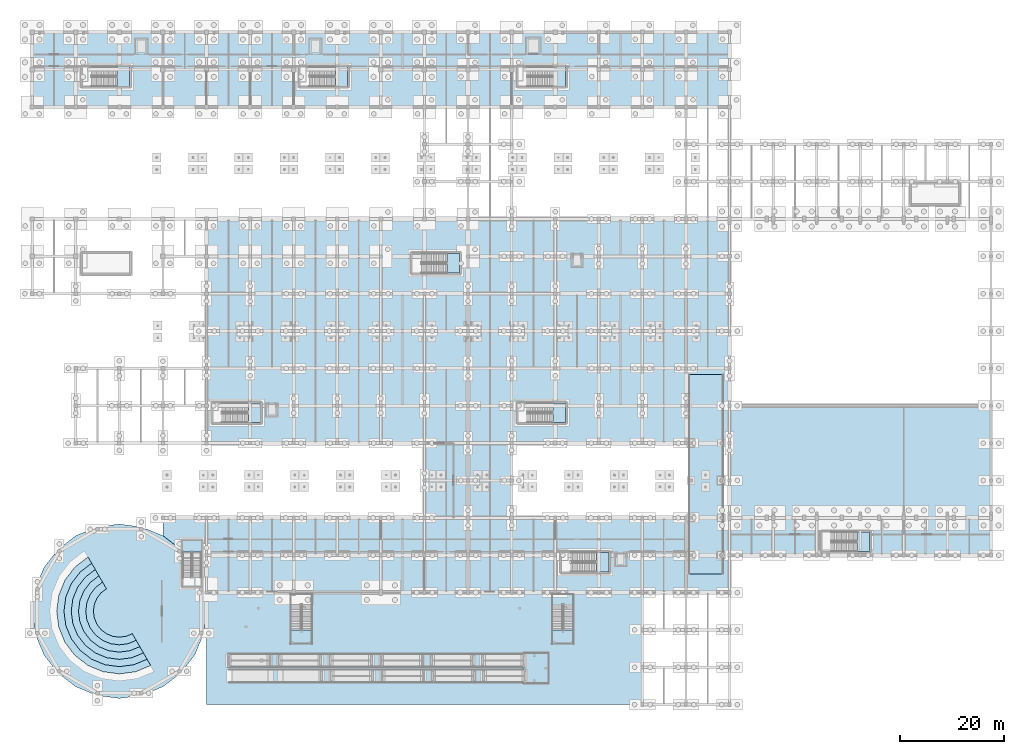
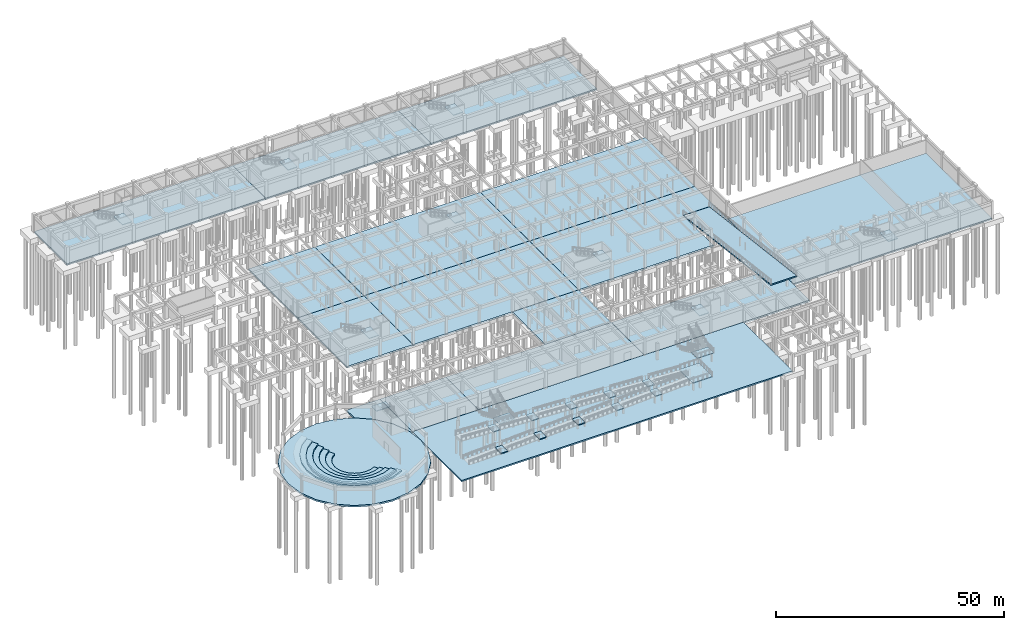
# One storey, part 57 of 80: 45 slabs, 13 elements without a shape of their own.
"""IFC4 building model written with IfcOpenShell, lengths in metres."""

from ifc_helpers import new_model, si_unit, direction, frame, origin, place, context, subcontext, project, spatial, polyline, outline, extrude, material, layer, layer_set, type_object, element, aggregate, save


model = new_model("IFC4")

# Units and contexts
model_context = context("Model", 3, precision=1e-05, world=origin(), true_north=direction((0.0, 1.0)))
body_context = subcontext(model_context, "Body", "Model", "MODEL_VIEW")
ifc_project = project(units=[si_unit("LENGTHUNIT", "METRE"), si_unit("AREAUNIT", "SQUARE_METRE"), si_unit("VOLUMEUNIT", "CUBIC_METRE"), si_unit("PLANEANGLEUNIT", "RADIAN"), si_unit("MASSUNIT", "GRAM", prefix="KILO")], contexts=[model_context])

# Site, building, storey
site_placement = place(None, origin())
site = spatial("IfcSite", under=ifc_project, at=site_placement, CompositionType="ELEMENT")
building_placement = place(site_placement, origin())
building = spatial("IfcBuilding", under=site, at=building_placement, Name="Malvenik Polytechnic", CompositionType="ELEMENT")
storey_placement = place(building_placement, frame((0.0, 0.0, -4.800048828125)))
storey = spatial("IfcBuildingStorey", under=building, at=storey_placement, Name="B1", CompositionType="ELEMENT", Elevation=-4.800048828125)

# Ramp, slabs
ifc_material = material(Name="Concrete C35/45", Category="concrete")
ramp_type = type_object("IfcRampType", Name="ARC-RMP-PED", PredefinedType="STRAIGHT_RUN_RAMP", material=ifc_material)
ramp_1_placement = place(storey_placement, origin())
ramp_1 = element("IfcRamp", 1, at=ramp_1_placement, inside=storey, type_object=ramp_type, Name="Accessible Pedestrian Ramp RB-04", PredefinedType="STRAIGHT_RUN_RAMP")
ifc_layer_1 = layer(ifc_material, 0.219970703125)
ifc_layer_set_1 = layer_set([ifc_layer_1], Name="Concrete C35/45")
slab_type_1 = type_object("IfcSlabType", Name="ARC-SLB-RLND", PredefinedType="LANDING", material=ifc_layer_set_1)
slab_1_placement = place(storey_placement, frame((0.0, 0.0, 0.179931640625)))
slab_1 = element("IfcSlab", 2, at=slab_1_placement, type_object=slab_type_1, Name="Ramp Intermediate Landing RB-04 #1", PredefinedType="LANDING", context=body_context, shape_type="SweptSolid", body=[
    extrude(outline(polyline([(46.0, 4.199951171875), (47.800048828125, 4.199951171875), (47.800048828125, 6.800048828125), (46.0, 6.800048828125), (46.0, 4.199951171875)])), origin(), (0.0, 0.0, 1.0), 0.22021484375),
])
slab_2_placement = place(storey_placement, frame((0.0, 0.0, 0.580078125)))
slab_2 = element("IfcSlab", 3, at=slab_2_placement, type_object=slab_type_1, Name="Ramp Intermediate Landing RB-04 #2", PredefinedType="LANDING", context=body_context, shape_type="SweptSolid", body=[
    extrude(outline(polyline([(55.800048828125, 4.199951171875), (57.60009765625, 4.199951171875), (57.60009765625, 6.800048828125), (55.800048828125, 6.800048828125), (55.800048828125, 4.199951171875)])), origin(), (0.0, 0.0, 1.0), 0.219970703125),
])
slab_3_placement = place(storey_placement, frame((0.0, 0.0, 0.97998046875)))
slab_3 = element("IfcSlab", 4, at=slab_3_placement, type_object=slab_type_1, Name="Ramp Intermediate Landing RB-04 #3", PredefinedType="LANDING", context=body_context, shape_type="SweptSolid", body=[
    extrude(outline(polyline([(65.60009765625, 4.199951171875), (67.39990234375, 4.199951171875), (67.39990234375, 6.800048828125), (65.60009765625, 6.800048828125), (65.60009765625, 4.199951171875)])), origin(), (0.0, 0.0, 1.0), 0.219970703125),
])
slab_4_placement = place(storey_placement, frame((0.0, 0.0, 1.380126953125)))
slab_4 = element("IfcSlab", 5, at=slab_4_placement, type_object=slab_type_1, Name="Ramp Intermediate Landing RB-04 #4", PredefinedType="LANDING", context=body_context, shape_type="SweptSolid", body=[
    extrude(outline(polyline([(75.39990234375, 4.199951171875), (77.199951171875, 4.199951171875), (77.199951171875, 6.800048828125), (75.39990234375, 6.800048828125), (75.39990234375, 4.199951171875)])), origin(), (0.0, 0.0, 1.0), 0.219970703125),
])
slab_5_placement = place(storey_placement, frame((0.0, 0.0, 1.780029296875)))
slab_5 = element("IfcSlab", 6, at=slab_5_placement, type_object=slab_type_1, Name="Ramp Intermediate Landing RB-04 #5", PredefinedType="LANDING", context=body_context, shape_type="SweptSolid", body=[
    extrude(outline(polyline([(85.199951171875, 4.199951171875), (87.0, 4.199951171875), (87.0, 6.800048828125), (85.199951171875, 6.800048828125), (85.199951171875, 4.199951171875)])), origin(), (0.0, 0.0, 1.0), 0.219970703125),
])
aggregate(ramp_1, [slab_1, slab_2, slab_3, slab_4, slab_5])

ramp_2_placement = place(storey_placement, origin())
ramp_2 = element("IfcRamp", 7, at=ramp_2_placement, inside=storey, type_object=ramp_type, Name="Accessible Pedestrian Ramp RB-05", PredefinedType="STRAIGHT_RUN_RAMP")
slab_6_placement = place(storey_placement, frame((0.0, 0.0, 2.580078125)))
slab_6 = element("IfcSlab", 8, at=slab_6_placement, type_object=slab_type_1, Name="Ramp Intermediate Landing RB-05 #1", PredefinedType="LANDING", context=body_context, shape_type="SweptSolid", body=[
    extrude(outline(polyline([(85.0, 7.199951171875), (86.800048828125, 7.199951171875), (86.800048828125, 9.800048828125), (85.0, 9.800048828125), (85.0, 7.199951171875)])), origin(), (0.0, 0.0, 1.0), 0.219970703125),
])
slab_7_placement = place(storey_placement, frame((0.0, 0.0, 2.97998046875)))
slab_7 = element("IfcSlab", 9, at=slab_7_placement, type_object=slab_type_1, Name="Ramp Intermediate Landing RB-05 #2", PredefinedType="LANDING", context=body_context, shape_type="SweptSolid", body=[
    extrude(outline(polyline([(75.199951171875, 7.199951171875), (77.0, 7.199951171875), (77.0, 9.800048828125), (75.199951171875, 9.800048828125), (75.199951171875, 7.199951171875)])), origin(), (0.0, 0.0, 1.0), 0.219970703125),
])
slab_8_placement = place(storey_placement, frame((0.0, 0.0, 3.380126953125)))
slab_8 = element("IfcSlab", 10, at=slab_8_placement, type_object=slab_type_1, Name="Ramp Intermediate Landing RB-05 #3", PredefinedType="LANDING", context=body_context, shape_type="SweptSolid", body=[
    extrude(outline(polyline([(65.39990234375, 7.199951171875), (67.199951171875, 7.199951171875), (67.199951171875, 9.800048828125), (65.39990234375, 9.800048828125), (65.39990234375, 7.199951171875)])), origin(), (0.0, 0.0, 1.0), 0.219970703125),
])
slab_9_placement = place(storey_placement, frame((0.0, 0.0, 3.780029296875)))
slab_9 = element("IfcSlab", 11, at=slab_9_placement, type_object=slab_type_1, Name="Ramp Intermediate Landing RB-05 #4", PredefinedType="LANDING", context=body_context, shape_type="SweptSolid", body=[
    extrude(outline(polyline([(55.60009765625, 7.199951171875), (57.39990234375, 7.199951171875), (57.39990234375, 9.800048828125), (55.60009765625, 9.800048828125), (55.60009765625, 7.199951171875)])), origin(), (0.0, 0.0, 1.0), 0.219970703125),
])
slab_10_placement = place(storey_placement, frame((0.0, 0.0, 4.179931640625)))
slab_10 = element("IfcSlab", 12, at=slab_10_placement, type_object=slab_type_1, Name="Ramp Intermediate Landing RB-05 #5", PredefinedType="LANDING", context=body_context, shape_type="SweptSolid", body=[
    extrude(outline(polyline([(45.800048828125, 7.199951171875), (47.60009765625, 7.199951171875), (47.60009765625, 9.800048828125), (45.800048828125, 9.800048828125), (45.800048828125, 7.199951171875)])), origin(), (0.0, 0.0, 1.0), 0.22021484375),
])
aggregate(ramp_2, [slab_6, slab_7, slab_8, slab_9, slab_10])

# Stair, slab
stair_type_1 = type_object("IfcStairType", Name="ARC-STR-ST-01", PredefinedType="HALF_TURN_STAIR", material=ifc_material)
stair_1_placement = place(storey_placement, origin())
stair_1 = element("IfcStair", 13, at=stair_1_placement, inside=storey, type_object=stair_type_1, Name="B1 Escape Stair ST-01", PredefinedType="HALF_TURN_STAIR")
ifc_layer_2 = layer(ifc_material, 0.199951171875)
ifc_layer_set_2 = layer_set([ifc_layer_2], Name="Concrete C35/45")
slab_type_2 = type_object("IfcSlabType", Name="ARC-SLB-STLND", PredefinedType="LANDING", material=ifc_layer_set_2)
slab_11_placement = place(storey_placement, frame((0.0, 0.0, 2.199951171875)))
slab_11 = element("IfcSlab", 14, at=slab_11_placement, type_object=slab_type_2, Name="ST-01 landing 1", PredefinedType="LANDING", context=body_context, shape_type="SweptSolid", body=[
    extrude(outline(polyline([(16.35009765625, 119.14990234375), (18.800048828125, 119.14990234375), (18.800048828125, 122.949951171875), (16.35009765625, 122.949951171875), (16.35009765625, 119.14990234375)])), origin(), (0.0, 0.0, 1.0), 0.2001953125),
])
aggregate(stair_1, [slab_11])

stair_type_2 = type_object("IfcStairType", Name="ARC-STR-ST-02", PredefinedType="HALF_TURN_STAIR", material=ifc_material)
stair_2_placement = place(storey_placement, origin())
stair_2 = element("IfcStair", 15, at=stair_2_placement, inside=storey, type_object=stair_type_2, Name="B1 Escape Stair ST-02", PredefinedType="HALF_TURN_STAIR")
slab_12_placement = place(storey_placement, frame((0.0, 0.0, 2.199951171875)))
slab_12 = element("IfcSlab", 16, at=slab_12_placement, type_object=slab_type_2, Name="ST-02 landing 1", PredefinedType="LANDING", context=body_context, shape_type="SweptSolid", body=[
    extrude(outline(polyline([(58.35009765625, 119.14990234375), (60.800048828125, 119.14990234375), (60.800048828125, 122.949951171875), (58.35009765625, 122.949951171875), (58.35009765625, 119.14990234375)])), origin(), (0.0, 0.0, 1.0), 0.2001953125),
])
aggregate(stair_2, [slab_12])

stair_type_3 = type_object("IfcStairType", Name="ARC-STR-ST-03", PredefinedType="HALF_TURN_STAIR", material=ifc_material)
stair_3_placement = place(storey_placement, origin())
stair_3 = element("IfcStair", 17, at=stair_3_placement, inside=storey, type_object=stair_type_3, Name="B1 Escape Stair ST-03", PredefinedType="HALF_TURN_STAIR")
slab_13_placement = place(storey_placement, frame((0.0, 0.0, 2.199951171875)))
slab_13 = element("IfcSlab", 18, at=slab_13_placement, type_object=slab_type_2, Name="ST-03 landing 1", PredefinedType="LANDING", context=body_context, shape_type="SweptSolid", body=[
    extrude(outline(polyline([(100.35009765625, 119.14990234375), (102.800048828125, 119.14990234375), (102.800048828125, 122.949951171875), (100.35009765625, 122.949951171875), (100.35009765625, 119.14990234375)])), origin(), (0.0, 0.0, 1.0), 0.2001953125),
])
aggregate(stair_3, [slab_13])

stair_type_4 = type_object("IfcStairType", Name="ARC-STR-ST-05", PredefinedType="HALF_TURN_STAIR", material=ifc_material)
stair_4_placement = place(storey_placement, origin())
stair_4 = element("IfcStair", 19, at=stair_4_placement, inside=storey, type_object=stair_type_4, Name="B1 Escape Stair ST-05", PredefinedType="HALF_TURN_STAIR")
slab_14_placement = place(storey_placement, frame((0.0, 0.0, 2.199951171875)))
slab_14 = element("IfcSlab", 20, at=slab_14_placement, type_object=slab_type_2, Name="ST-05 landing 1", PredefinedType="LANDING", context=body_context, shape_type="SweptSolid", body=[
    extrude(outline(polyline([(79.949951171875, 83.14990234375), (82.39990234375, 83.14990234375), (82.39990234375, 86.949951171875), (79.949951171875, 86.949951171875), (79.949951171875, 83.14990234375)])), origin(), (0.0, 0.0, 1.0), 0.2001953125),
])
aggregate(stair_4, [slab_14])

stair_type_5 = type_object("IfcStairType", Name="ARC-STR-ST-06", PredefinedType="HALF_TURN_STAIR", material=ifc_material)
stair_5_placement = place(storey_placement, origin())
stair_5 = element("IfcStair", 21, at=stair_5_placement, inside=storey, type_object=stair_type_5, Name="B1 Escape Stair ST-06", PredefinedType="HALF_TURN_STAIR")
slab_15_placement = place(storey_placement, frame((0.0, 0.0, 2.199951171875)))
slab_15 = element("IfcSlab", 22, at=slab_15_placement, type_object=slab_type_2, Name="ST-06 landing 1", PredefinedType="LANDING", context=body_context, shape_type="SweptSolid", body=[
    extrude(outline(polyline([(41.550048828125, 54.35009765625), (44.0, 54.35009765625), (44.0, 58.14990234375), (41.550048828125, 58.14990234375), (41.550048828125, 54.35009765625)])), origin(), (0.0, 0.0, 1.0), 0.2001953125),
])
aggregate(stair_5, [slab_15])

stair_type_6 = type_object("IfcStairType", Name="ARC-STR-ST-07", PredefinedType="HALF_TURN_STAIR", material=ifc_material)
stair_6_placement = place(storey_placement, origin())
stair_6 = element("IfcStair", 23, at=stair_6_placement, inside=storey, type_object=stair_type_6, Name="B1 Escape Stair ST-07", PredefinedType="HALF_TURN_STAIR")
slab_16_placement = place(storey_placement, frame((0.0, 0.0, 2.199951171875)))
slab_16 = element("IfcSlab", 24, at=slab_16_placement, type_object=slab_type_2, Name="ST-07 landing 1", PredefinedType="LANDING", context=body_context, shape_type="SweptSolid", body=[
    extrude(outline(polyline([(100.35009765625, 54.35009765625), (102.800048828125, 54.35009765625), (102.800048828125, 58.14990234375), (100.35009765625, 58.14990234375), (100.35009765625, 54.35009765625)])), origin(), (0.0, 0.0, 1.0), 0.2001953125),
])
aggregate(stair_6, [slab_16])

stair_type_7 = type_object("IfcStairType", Name="ARC-STR-ST-08", PredefinedType="HALF_TURN_STAIR", material=ifc_material)
stair_7_placement = place(storey_placement, origin())
stair_7 = element("IfcStair", 25, at=stair_7_placement, inside=storey, type_object=stair_type_7, Name="B1 Escape Stair ST-08", PredefinedType="HALF_TURN_STAIR")
slab_17_placement = place(storey_placement, frame((0.0, 0.0, 2.199951171875)))
slab_17 = element("IfcSlab", 26, at=slab_17_placement, type_object=slab_type_2, Name="ST-08 landing 1", PredefinedType="LANDING", context=body_context, shape_type="SweptSolid", body=[
    extrude(outline(polyline([(108.75, 25.550048828125), (111.199951171875, 25.550048828125), (111.199951171875, 29.35009765625), (108.75, 29.35009765625), (108.75, 25.550048828125)])), origin(), (0.0, 0.0, 1.0), 0.2001953125),
])
aggregate(stair_7, [slab_17])

stair_type_8 = type_object("IfcStairType", Name="ARC-STR-ST-13", PredefinedType="HALF_TURN_STAIR", material=ifc_material)
stair_8_placement = place(storey_placement, origin())
stair_8 = element("IfcStair", 27, at=stair_8_placement, inside=storey, type_object=stair_type_8, Name="B1 Escape Stair ST-13", PredefinedType="HALF_TURN_STAIR")
slab_18_placement = place(storey_placement, frame((0.0, 0.0, 2.199951171875)))
slab_18 = element("IfcSlab", 28, at=slab_18_placement, type_object=slab_type_2, Name="ST-13 landing 1", PredefinedType="LANDING", context=body_context, shape_type="SweptSolid", body=[
    extrude(outline(polyline([(158.949951171875, 29.5), (161.39990234375, 29.5), (161.39990234375, 33.300048828125), (158.949951171875, 33.300048828125), (158.949951171875, 29.5)])), origin(), (0.0, 0.0, 1.0), 0.2001953125),
])
aggregate(stair_8, [slab_18])

stair_type_9 = type_object("IfcStairType", Name="ARC-STR-ST-09", PredefinedType="HALF_TURN_STAIR", material=ifc_material)
stair_9_placement = place(storey_placement, origin())
stair_9 = element("IfcStair", 29, at=stair_9_placement, inside=storey, type_object=stair_type_9, Name="B1 Escape Stair ST-09", PredefinedType="HALF_TURN_STAIR")
slab_19_placement = place(storey_placement, frame((0.0, 0.0, 2.199951171875)))
slab_19 = element("IfcSlab", 30, at=slab_19_placement, type_object=slab_type_2, Name="ST-09 landing 1", PredefinedType="LANDING", context=body_context, shape_type="SweptSolid", body=[
    extrude(outline(polyline([(32.60009765625, 29.449951171875), (32.60009765625, 31.60009765625), (29.0, 31.60009765625), (29.0, 29.449951171875), (32.60009765625, 29.449951171875)])), origin(), (0.0, 0.0, 1.0), 0.2001953125),
])
aggregate(stair_9, [slab_19])

stair_type_10 = type_object("IfcStairType", Name="ARC-STR-ST-10", PredefinedType="HALF_TURN_STAIR", material=ifc_material)
stair_10_placement = place(storey_placement, origin())
stair_10 = element("IfcStair", 31, at=stair_10_placement, inside=storey, type_object=stair_type_10, Name="B1 Exterior Forecourt Stair ST-10", PredefinedType="HALF_TURN_STAIR")
slab_20_placement = place(storey_placement, frame((0.0, 0.0, 2.199951171875)))
slab_20 = element("IfcSlab", 32, at=slab_20_placement, type_object=slab_type_2, Name="ST-10 landing 1", PredefinedType="LANDING", context=body_context, shape_type="SweptSolid", body=[
    extrude(outline(polyline([(49.800048828125, 14.35009765625), (49.800048828125, 11.699951171875), (54.0, 11.699951171875), (54.0, 14.35009765625), (49.800048828125, 14.35009765625)])), origin(), (0.0, 0.0, 1.0), 0.2001953125),
])
aggregate(stair_10, [slab_20])

stair_type_11 = type_object("IfcStairType", Name="ARC-STR-ST-11", PredefinedType="HALF_TURN_STAIR", material=ifc_material)
stair_11_placement = place(storey_placement, origin())
stair_11 = element("IfcStair", 33, at=stair_11_placement, inside=storey, type_object=stair_type_11, Name="B1 Exterior Forecourt Stair ST-11", PredefinedType="HALF_TURN_STAIR")
slab_21_placement = place(storey_placement, frame((0.0, 0.0, 2.199951171875)))
slab_21 = element("IfcSlab", 34, at=slab_21_placement, type_object=slab_type_2, Name="ST-11 landing 1", PredefinedType="LANDING", context=body_context, shape_type="SweptSolid", body=[
    extrude(outline(polyline([(100.199951171875, 14.35009765625), (100.199951171875, 11.699951171875), (104.39990234375, 11.699951171875), (104.39990234375, 14.35009765625), (100.199951171875, 14.35009765625)])), origin(), (0.0, 0.0, 1.0), 0.2001953125),
])
aggregate(stair_11, [slab_21])

# Slabs
ifc_layer_3 = layer(ifc_material, 0.449951171875)
ifc_layer_set_3 = layer_set([ifc_layer_3], Name="Concrete C35/45")
slab_type_3 = type_object("IfcSlabType", Name="STR-SLB-BASE-450", PredefinedType="BASESLAB", material=ifc_layer_set_3)
slab_22_placement = place(storey_placement, frame((0.0, 0.0, -0.449951171875)))
element("IfcSlab", 35, at=slab_22_placement, inside=storey, type_object=slab_type_3, Name="Structural Slab B1-V1 #1", PredefinedType="BASESLAB", context=body_context, shape_type="SweptSolid", body=[
    extrude(outline(polyline([(0.0, 129.60009765625), (50.3798828125, 129.60009765625), (50.3798828125, 115.199951171875), (0.0, 115.199951171875), (0.0, 129.60009765625)])), origin(), (0.0, 0.0, 1.0), 0.449951171875),
])
slab_23_placement = place(storey_placement, frame((0.0, 0.0, -0.449951171875)))
element("IfcSlab", 36, at=slab_23_placement, inside=storey, type_object=slab_type_3, Name="Structural Slab B1-V1 #2", PredefinedType="BASESLAB", context=body_context, shape_type="SweptSolid", body=[
    extrude(outline(polyline([(92.3798828125, 129.60009765625), (92.3798828125, 115.199951171875), (50.419921875, 115.199951171875), (50.419921875, 129.60009765625), (92.3798828125, 129.60009765625)])), origin(), (0.0, 0.0, 1.0), 0.449951171875),
])
slab_24_placement = place(storey_placement, frame((0.0, 0.0, -0.449951171875)))
element("IfcSlab", 37, at=slab_24_placement, inside=storey, type_object=slab_type_3, Name="Structural Slab B1-V1 #3", PredefinedType="BASESLAB", context=body_context, shape_type="SweptSolid", body=[
    extrude(outline(polyline([(134.3798828125, 129.60009765625), (134.3798828125, 115.199951171875), (92.419921875, 115.199951171875), (92.419921875, 129.60009765625), (134.3798828125, 129.60009765625)])), origin(), (0.0, 0.0, 1.0), 0.449951171875),
])
slab_25_placement = place(storey_placement, frame((0.0, 0.0, -0.449951171875)))
element("IfcSlab", 38, at=slab_25_placement, inside=storey, type_object=slab_type_3, Name="Structural Slab B1-V2-GAR #4", PredefinedType="BASESLAB", context=body_context, shape_type="SweptSolid", body=[
    extrude(outline(polyline([(50.3798828125, 93.60009765625), (50.3798828125, 72.0), (33.60009765625, 72.0), (33.60009765625, 93.60009765625), (50.3798828125, 93.60009765625)])), origin(), (0.0, 0.0, 1.0), 0.449951171875),
])
slab_26_placement = place(storey_placement, frame((0.0, 0.0, -0.449951171875)))
element("IfcSlab", 39, at=slab_26_placement, inside=storey, type_object=slab_type_3, Name="Structural Slab B1-V2-GAR #5", PredefinedType="BASESLAB", context=body_context, shape_type="SweptSolid", body=[
    extrude(outline(polyline([(92.3798828125, 93.60009765625), (92.3798828125, 72.0), (50.419921875, 72.0), (50.419921875, 93.60009765625), (92.3798828125, 93.60009765625)])), origin(), (0.0, 0.0, 1.0), 0.449951171875),
])
slab_27_placement = place(storey_placement, frame((0.0, 0.0, -0.449951171875)))
element("IfcSlab", 40, at=slab_27_placement, inside=storey, type_object=slab_type_3, Name="Structural Slab B1-V2-GAR #6", PredefinedType="BASESLAB", context=body_context, shape_type="SweptSolid", body=[
    extrude(outline(polyline([(134.3798828125, 93.60009765625), (134.3798828125, 72.0), (92.419921875, 72.0), (92.419921875, 93.60009765625), (134.3798828125, 93.60009765625)])), origin(), (0.0, 0.0, 1.0), 0.449951171875),
])
slab_28_placement = place(storey_placement, frame((0.0, 0.0, -0.449951171875)))
element("IfcSlab", 41, at=slab_28_placement, inside=storey, type_object=slab_type_3, Name="Structural Slab B1-V3-GAR #7", PredefinedType="BASESLAB", context=body_context, shape_type="SweptSolid", body=[
    extrude(outline(polyline([(133.219970703125, 63.6201171875), (126.580078125, 63.6201171875), (126.580078125, 50.39990234375), (92.419921875, 50.39990234375), (92.419921875, 72.0), (134.3798828125, 72.0), (134.3798828125, 50.39990234375), (133.219970703125, 50.39990234375), (133.219970703125, 63.6201171875)])), origin(), (0.0, 0.0, 1.0), 0.449951171875),
])
slab_29_placement = place(storey_placement, frame((0.0, 0.0, -0.449951171875)))
element("IfcSlab", 42, at=slab_29_placement, inside=storey, type_object=slab_type_3, Name="Structural Slab B1-V3-GAR #8", PredefinedType="BASESLAB", context=body_context, shape_type="SweptSolid", body=[
    extrude(outline(polyline([(50.419921875, 50.39990234375), (50.419921875, 72.0), (92.3798828125, 72.0), (92.3798828125, 50.39990234375), (50.419921875, 50.39990234375)])), origin(), (0.0, 0.0, 1.0), 0.449951171875),
])
slab_30_placement = place(storey_placement, frame((0.0, 0.0, -0.449951171875)))
element("IfcSlab", 43, at=slab_30_placement, inside=storey, type_object=slab_type_3, Name="Structural Slab B1-V3-GAR #9", PredefinedType="BASESLAB", context=body_context, shape_type="SweptSolid", body=[
    extrude(outline(polyline([(33.60009765625, 50.39990234375), (33.60009765625, 72.0), (50.3798828125, 72.0), (50.3798828125, 50.39990234375), (33.60009765625, 50.39990234375)])), origin(), (0.0, 0.0, 1.0), 0.449951171875),
])
slab_31_placement = place(storey_placement, frame((0.0, 0.0, -0.449951171875)))
element("IfcSlab", 44, at=slab_31_placement, inside=storey, type_object=slab_type_3, Name="Structural Slab B1-V4-SPINE #10", PredefinedType="BASESLAB", context=body_context, shape_type="SweptSolid", body=[
    extrude(outline(polyline([(75.60009765625, 50.39990234375), (92.3798828125, 50.39990234375), (92.3798828125, 36.0), (75.60009765625, 36.0), (75.60009765625, 50.39990234375)])), origin(), (0.0, 0.0, 1.0), 0.449951171875),
])
slab_32_placement = place(storey_placement, frame((0.0, 0.0, -0.449951171875)))
element("IfcSlab", 45, at=slab_32_placement, inside=storey, type_object=slab_type_3, Name="Structural Slab B1-V4-FOYER #11", PredefinedType="BASESLAB", context=body_context, shape_type="SweptSolid", body=[
    extrude(outline(polyline([(92.419921875, 21.60009765625), (92.419921875, 36.0), (134.3798828125, 36.0), (134.3798828125, 21.60009765625), (92.419921875, 21.60009765625)])), origin(), (0.0, 0.0, 1.0), 0.449951171875),
])
slab_33_placement = place(storey_placement, frame((0.0, 0.0, -0.449951171875)))
element("IfcSlab", 46, at=slab_33_placement, inside=storey, type_object=slab_type_3, Name="Structural Slab B1-V4-FOYER #12", PredefinedType="BASESLAB", context=body_context, shape_type="SweptSolid", body=[
    extrude(outline(polyline([(50.419921875, 21.60009765625), (50.419921875, 36.0), (75.60009765625, 36.0), (92.3798828125, 36.0), (92.3798828125, 21.60009765625), (50.419921875, 21.60009765625)])), origin(), (0.0, 0.0, 1.0), 0.449951171875),
])
slab_34_placement = place(storey_placement, frame((0.0, 0.0, -0.449951171875)))
element("IfcSlab", 47, at=slab_34_placement, inside=storey, type_object=slab_type_3, Name="Structural Slab B1-V4-FOYER #13", PredefinedType="BASESLAB", context=body_context, shape_type="SweptSolid", body=[
    extrude(outline(polyline([(33.60009765625, 21.60009765625), (33.60009765625, 36.0), (50.3798828125, 36.0), (50.3798828125, 21.60009765625), (33.60009765625, 21.60009765625)])), origin(), (0.0, 0.0, 1.0), 0.449951171875),
])
slab_35_placement = place(storey_placement, frame((0.0, 0.0, -0.449951171875)))
element("IfcSlab", 48, at=slab_35_placement, inside=storey, type_object=slab_type_3, Name="Structural Slab B1-V5 #14", PredefinedType="BASESLAB", context=body_context, shape_type="SweptSolid", body=[
    extrude(outline(polyline([(134.419921875, 28.800048828125), (134.419921875, 57.60009765625), (184.800048828125, 57.60009765625), (184.800048828125, 28.800048828125), (134.419921875, 28.800048828125)])), origin(), (0.0, 0.0, 1.0), 0.449951171875),
])
slab_36_placement = place(storey_placement, frame((0.0, 0.0, -0.449951171875)))
element("IfcSlab", 49, at=slab_36_placement, inside=storey, type_object=slab_type_3, Name="Structural Slab B1-V6 #15", PredefinedType="BASESLAB", context=body_context, shape_type="SweptSolid", body=[
    extrude(outline(polyline([(28.679443359375, 6.12060546875), (25.199951171875, 3.45068359375), (21.148193359375, 1.7724609375), (16.800048828125, 1.199951171875), (12.451904296875, 1.7724609375), (8.39990234375, 3.45068359375), (4.920654296875, 6.12060546875), (2.250732421875, 9.60009765625), (0.572509765625, 13.65185546875), (0.0, 18.0), (0.572509765625, 22.34814453125), (2.250732421875, 26.39990234375), (4.920654296875, 29.87939453125), (8.39990234375, 32.54931640625), (12.451904296875, 34.2275390625), (16.800048828125, 34.800048828125), (21.148193359375, 34.2275390625), (25.199951171875, 32.54931640625), (28.679443359375, 29.87939453125), (31.34912109375, 26.39990234375), (33.027587890625, 22.34814453125), (33.60009765625, 18.0), (33.027587890625, 13.65185546875), (31.34912109375, 9.60009765625), (28.679443359375, 6.12060546875)])), origin(), (0.0, 0.0, 1.0), 0.449951171875),
])
slab_37_placement = place(storey_placement, frame((0.0, 0.0, -0.449951171875)))
element("IfcSlab", 50, at=slab_37_placement, inside=storey, type_object=slab_type_3, Name="Structural Slab B1-V6-LINK #16", PredefinedType="BASESLAB", context=body_context, shape_type="SweptSolid", body=[
    extrude(outline(polyline([(33.027587890625, 22.34814453125), (31.34912109375, 26.39990234375), (28.679443359375, 29.87939453125), (25.199951171875, 32.54931640625), (25.199951171875, 36.0), (33.60009765625, 36.0), (33.60009765625, 21.60009765625), (33.126220703125, 21.60009765625), (33.027587890625, 22.34814453125)])), origin(), (0.0, 0.0, 1.0), 0.449951171875),
])
ifc_layer_4 = layer(ifc_material, 0.3798828125)
ifc_layer_set_4 = layer_set([ifc_layer_4], Name="Concrete C35/45")
slab_type_4 = type_object("IfcSlabType", Name="STR-SLB-PLZ-380", PredefinedType="BASESLAB", material=ifc_layer_set_4)
slab_38_placement = place(storey_placement, frame((0.0, 0.0, -0.3798828125)))
element("IfcSlab", 51, at=slab_38_placement, inside=storey, type_object=slab_type_4, Name="Exterior Terrace Slab B1 #17", PredefinedType="BASESLAB", context=body_context, shape_type="SweptSolid", body=[
    extrude(outline(polyline([(33.60009765625, 21.599609375), (33.60009765625, 21.60009765625), (33.6005859375, 21.60009765625), (117.599609375, 21.60009765625), (117.60009765625, 21.60009765625), (117.60009765625, 21.599609375), (117.60009765625, 0.00048828125), (117.60009765625, 0.0), (117.599609375, 0.0), (33.6005859375, 0.0), (33.60009765625, 0.0), (33.60009765625, 0.00048828125), (33.60009765625, 18.0), (33.60009765625, 21.599609375)])), origin(), (0.0, 0.0, 1.0), 0.3798828125),
])
ifc_layer_5 = layer(ifc_material, 0.25)
ifc_layer_set_5 = layer_set([ifc_layer_5], Name="Concrete C35/45")
slab_type_5 = type_object("IfcSlabType", Name="STR-SLB-RLND-250", PredefinedType="LANDING", material=ifc_layer_set_5)
slab_39_placement = place(storey_placement, frame((0.0, 0.0, 2.150146484375)))
element("IfcSlab", 52, at=slab_39_placement, inside=storey, type_object=slab_type_5, Name="Forecourt Ramp Turn Landing RB-04/05", PredefinedType="LANDING", context=body_context, shape_type="SweptSolid", body=[
    extrude(outline(polyline([(94.60009765625, 4.0), (99.60009765625, 4.0), (99.60009765625, 10.0), (94.60009765625, 10.0), (94.60009765625, 4.0)])), origin(), (0.0, 0.0, 1.0), 0.25),
])
ifc_layer_6 = layer(ifc_material, 0.4150390625)
ifc_layer_set_6 = layer_set([ifc_layer_6], Name="Concrete C35/45")
slab_type_6 = type_object("IfcSlabType", Name="STR-SLB-TIER-440", PredefinedType="USERDEFINED", material=ifc_layer_set_6)
slab_40_placement = place(storey_placement, origin())
element("IfcSlab", 53, at=slab_40_placement, inside=storey, type_object=slab_type_6, Name="Lecture Amphitheatre Seating Tier B1-1", ObjectType="SEATING TIER", PredefinedType="USERDEFINED", context=body_context, shape_type="SweptSolid", body=[
    extrude(outline(polyline([(13.56005859375, 23.61181640625), (12.218017578125, 22.58203125), (11.188232421875, 21.239990234375), (10.540771484375, 19.677001953125), (10.320068359375, 18.0), (10.540771484375, 16.322998046875), (11.188232421875, 14.760009765625), (12.218017578125, 13.41796875), (13.56005859375, 12.38818359375), (15.122802734375, 11.74072265625), (16.800048828125, 11.52001953125), (18.47705078125, 11.74072265625), (20.0400390625, 12.38818359375), (19.300048828125, 13.669921875), (18.093994140625, 13.17041015625), (16.800048828125, 13.0), (15.505859375, 13.17041015625), (14.300048828125, 13.669921875), (13.264404296875, 14.464599609375), (12.469970703125, 15.5), (11.970458984375, 16.705810546875), (11.800048828125, 18.0), (11.970458984375, 19.294189453125), (12.469970703125, 20.5), (13.264404296875, 21.535400390625), (14.300048828125, 22.330078125), (13.56005859375, 23.61181640625)])), origin(), (0.0, 0.0, 1.0), 0.400146484375),
])
slab_41_placement = place(storey_placement, frame((0.0, 0.0, 0.385009765625)))
element("IfcSlab", 54, at=slab_41_placement, inside=storey, type_object=slab_type_6, Name="Lecture Amphitheatre Seating Tier B1-2", ObjectType="SEATING TIER", PredefinedType="USERDEFINED", context=body_context, shape_type="SweptSolid", body=[
    extrude(outline(polyline([(12.860107421875, 24.82421875), (11.22802734375, 23.572021484375), (9.9755859375, 21.93994140625), (9.1884765625, 20.03955078125), (8.919921875, 18.0), (9.1884765625, 15.96044921875), (9.9755859375, 14.06005859375), (11.22802734375, 12.427978515625), (12.860107421875, 11.17578125), (14.760498046875, 10.388427734375), (16.800048828125, 10.1201171875), (18.839599609375, 10.388427734375), (20.739990234375, 11.17578125), (20.0, 12.45751953125), (18.456298828125, 11.818115234375), (16.800048828125, 11.60009765625), (15.1435546875, 11.818115234375), (13.60009765625, 12.45751953125), (12.2744140625, 13.474609375), (11.25732421875, 14.800048828125), (10.6181640625, 16.343505859375), (10.39990234375, 18.0), (10.6181640625, 19.656494140625), (11.25732421875, 21.199951171875), (12.2744140625, 22.525390625), (13.60009765625, 23.54248046875), (12.860107421875, 24.82421875)])), origin(), (0.0, 0.0, 1.0), 0.4150390625),
])
slab_42_placement = place(storey_placement, frame((0.0, 0.0, 0.78515625)))
element("IfcSlab", 55, at=slab_42_placement, inside=storey, type_object=slab_type_6, Name="Lecture Amphitheatre Seating Tier B1-3", ObjectType="SEATING TIER", PredefinedType="USERDEFINED", context=body_context, shape_type="SweptSolid", body=[
    extrude(outline(polyline([(12.159912109375, 26.03662109375), (10.238037109375, 24.56201171875), (8.76318359375, 22.639892578125), (7.836181640625, 20.40185546875), (7.52001953125, 18.0), (7.836181640625, 15.59814453125), (8.76318359375, 13.360107421875), (10.238037109375, 11.43798828125), (12.159912109375, 9.96337890625), (14.398193359375, 9.0361328125), (16.800048828125, 8.719970703125), (19.201904296875, 9.0361328125), (21.43994140625, 9.96337890625), (20.699951171875, 11.2451171875), (18.81884765625, 10.4658203125), (16.800048828125, 10.199951171875), (14.78125, 10.4658203125), (12.89990234375, 11.2451171875), (11.28466796875, 12.484619140625), (10.044921875, 14.10009765625), (9.265869140625, 15.981201171875), (9.0, 18.0), (9.265869140625, 20.018798828125), (10.044921875, 21.89990234375), (11.28466796875, 23.515380859375), (12.89990234375, 24.7548828125), (12.159912109375, 26.03662109375)])), origin(), (0.0, 0.0, 1.0), 0.414794921875),
])
slab_43_placement = place(storey_placement, frame((0.0, 0.0, 1.18505859375)))
element("IfcSlab", 56, at=slab_43_placement, inside=storey, type_object=slab_type_6, Name="Lecture Amphitheatre Seating Tier B1-4", ObjectType="SEATING TIER", PredefinedType="USERDEFINED", context=body_context, shape_type="SweptSolid", body=[
    extrude(outline(polyline([(11.4599609375, 27.249267578125), (9.248046875, 25.552001953125), (7.55078125, 23.340087890625), (6.48388671875, 20.76416015625), (6.1201171875, 18.0), (6.48388671875, 15.23583984375), (7.55078125, 12.659912109375), (9.248046875, 10.447998046875), (11.4599609375, 8.750732421875), (14.035888671875, 7.683837890625), (16.800048828125, 7.320068359375), (19.564208984375, 7.683837890625), (22.139892578125, 8.750732421875), (21.39990234375, 10.03271484375), (19.18115234375, 9.113525390625), (16.800048828125, 8.800048828125), (14.4189453125, 9.113525390625), (12.199951171875, 10.03271484375), (10.294677734375, 11.49462890625), (8.83251953125, 13.39990234375), (7.91357421875, 15.618896484375), (7.60009765625, 18.0), (7.91357421875, 20.381103515625), (8.83251953125, 22.60009765625), (10.294677734375, 24.50537109375), (12.199951171875, 25.96728515625), (11.4599609375, 27.249267578125)])), origin(), (0.0, 0.0, 1.0), 0.4150390625),
])
slab_44_placement = place(storey_placement, frame((0.0, 0.0, 1.5849609375)))
element("IfcSlab", 57, at=slab_44_placement, inside=storey, type_object=slab_type_6, Name="Lecture Amphitheatre Seating Tier B1-5", ObjectType="SEATING TIER", PredefinedType="USERDEFINED", context=body_context, shape_type="SweptSolid", body=[
    extrude(outline(polyline([(10.760009765625, 28.461669921875), (8.25830078125, 26.541748046875), (6.33837890625, 24.0400390625), (5.131591796875, 21.12646484375), (4.719970703125, 18.0), (5.131591796875, 14.87353515625), (6.33837890625, 11.9599609375), (8.25830078125, 9.458251953125), (10.760009765625, 7.538330078125), (13.673583984375, 6.33154296875), (16.800048828125, 5.919921875), (19.926513671875, 6.33154296875), (22.840087890625, 7.538330078125), (22.10009765625, 8.820068359375), (19.54345703125, 7.76123046875), (16.800048828125, 7.39990234375), (14.056396484375, 7.76123046875), (11.5, 8.820068359375), (9.3046875, 10.504638671875), (7.6201171875, 12.699951171875), (6.561279296875, 15.256591796875), (6.199951171875, 18.0), (6.561279296875, 20.743408203125), (7.6201171875, 23.300048828125), (9.3046875, 25.495361328125), (11.5, 27.179931640625), (10.760009765625, 28.461669921875)])), origin(), (0.0, 0.0, 1.0), 0.4150390625),
])
ifc_layer_7 = layer(ifc_material, 0.300048828125)
ifc_layer_set_7 = layer_set([ifc_layer_7], Name="Concrete C35/45")
slab_type_7 = type_object("IfcSlabType", Name="STR-SLB-VRMP-300", PredefinedType="FLOOR", material=ifc_layer_set_7)
slab_45_placement = place(storey_placement, frame((126.60009765625, 63.60009765625, 0.0), z_axis=(0.0, 0.124035511046, 0.992277779656), x_axis=(1.0, 0.0, 0.0)))
element("IfcSlab", 58, at=slab_45_placement, inside=storey, type_object=slab_type_7, Name="Car Park Structural Vehicle Ramp Slab VR-01 (Concrete C35/45)", PredefinedType="FLOOR", context=body_context, shape_type="SweptSolid", body=[
    extrude(outline(polyline([(0.0, 0.0), (6.599853515625, 0.0), (6.599853515625, -38.69898860143301), (0.0, -38.69898860143301), (0.0, 0.0)])), origin(), (0.0, 0.0, -1.0), 0.300048828125),
])

save(model, "model.ifc")
